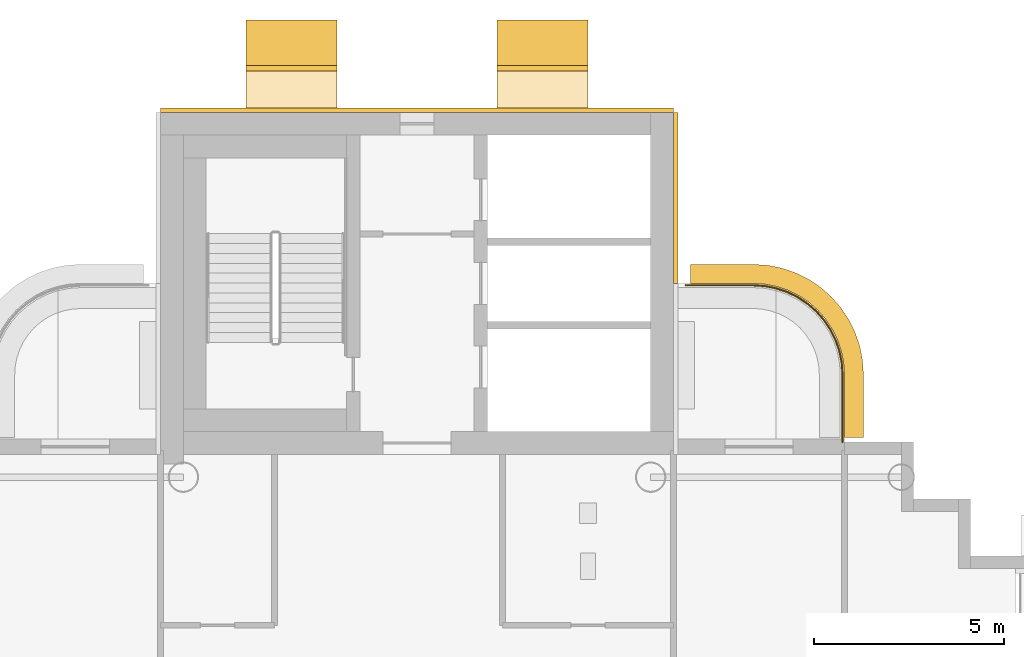
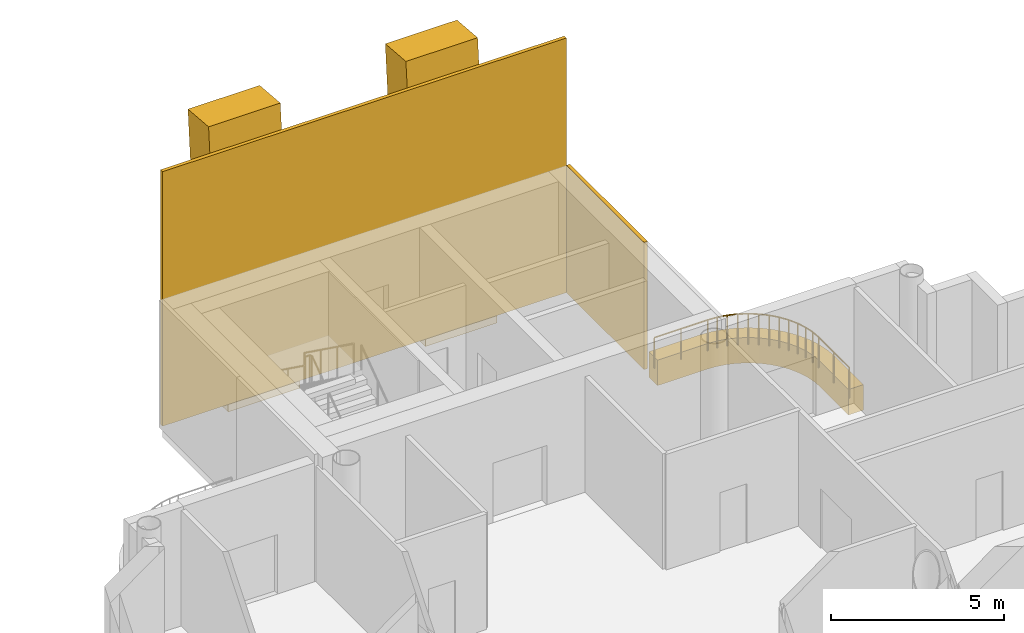
# One storey, part 19 of 20: 7 coverings, 1 railing.
"""IFC4 building model written with IfcOpenShell, lengths in metres."""

from ifc_helpers import new_model, si_unit, direction, frame, origin, origin_2d, place, context, subcontext, project, spatial, polyline, rectangle, circle, outline, extrude, material, layer, layer_set, material_profile, profile_set, type_object, element, save


model = new_model("IFC4")

# Units and contexts
model_context = context("Model", 3, precision=1e-05, world=origin(), true_north=direction((0.0, 1.0)))
body_context = subcontext(model_context, "Body", "Model", "MODEL_VIEW")
ifc_project = project(units=[si_unit("LENGTHUNIT", "METRE"), si_unit("AREAUNIT", "SQUARE_METRE"), si_unit("VOLUMEUNIT", "CUBIC_METRE"), si_unit("PLANEANGLEUNIT", "RADIAN"), si_unit("MASSUNIT", "GRAM", prefix="KILO")], contexts=[model_context])

# Site, building, storey
site_placement = place(None, origin())
site = spatial("IfcSite", under=ifc_project, at=site_placement, CompositionType="ELEMENT")
building_placement = place(site_placement, origin())
building = spatial("IfcBuilding", under=site, at=building_placement, Name="Ipe Terrace Towers", CompositionType="ELEMENT")
storey_placement = place(building_placement, frame((0.0, 0.0, 242.39990234375)))
storey = spatial("IfcBuildingStorey", under=building, at=storey_placement, Name="L67", CompositionType="ELEMENT", Elevation=242.39990234375)

# Railing
ifc_material_1 = material(Name="Stainless steel S316", Category="steel")
railing_type = type_object("IfcRailingType", Name="GUARD 1100", PredefinedType="BALUSTRADE", material=ifc_material_1)
railing_placement = place(storey_placement, frame((47.199951171875, 7.070068359375, -0.02001953125)))
element("IfcRailing", 1, at=railing_placement, inside=storey, type_object=railing_type, Name="guard", PredefinedType="BALUSTRADE", context=body_context, shape_type="SweptSolid", body=[
    extrude(circle(Radius=0.02392578125, at=origin_2d()), frame((0.0, 0.0, 1.076171875), z_axis=(0.0, 1.0, 0.0), x_axis=(-1.0, 0.0, 0.0)), (0.0, 0.0, 1.0), 1.77783203125),
    extrude(circle(Radius=0.02392578125, at=origin_2d()), frame((0.0, 1.77783203125, 1.076171875), z_axis=(-0.064635492184, 0.99790894031, 0.0), x_axis=(-0.99790894031, -0.064635492184, 0.0)), (0.0, 0.0, 1.0), 0.309814453125),
    extrude(circle(Radius=0.02392578125, at=origin_2d()), frame((-0.02001953125, 2.0869140625, 1.076171875), z_axis=(-0.194892169718, 0.980824674538, 0.0), x_axis=(-0.980824674538, -0.194892169718, 0.0)), (0.0, 0.0, 1.0), 0.306884765625),
    extrude(circle(Radius=0.02392578125, at=origin_2d()), frame((-0.079833984375, 2.387939453125, 1.076171875), z_axis=(-0.322415209212, 0.946598348228, 0.0), x_axis=(-0.946598348228, -0.322415209212, 0.0)), (0.0, 0.0, 1.0), 0.307373046875),
    extrude(circle(Radius=0.02392578125, at=origin_2d()), frame((-0.178955078125, 2.678955078125, 1.076171875), z_axis=(-0.44212629539, 0.896952807524, 0.0), x_axis=(-0.896952807524, -0.44212629539, 0.0)), (0.0, 0.0, 1.0), 0.3076171875),
    extrude(circle(Radius=0.02392578125, at=origin_2d()), frame((-0.31494140625, 2.954833984375, 1.076171875), z_axis=(-0.555066120228, 0.831806228742, 0.0), x_axis=(-0.831806228742, -0.555066120228, 0.0)), (0.0, 0.0, 1.0), 0.307861328125),
    extrude(circle(Radius=0.02392578125, at=origin_2d()), frame((-0.48583984375, 3.2109375, 1.076171875), z_axis=(-0.658617227954, 0.752478137252, 0.0), x_axis=(-0.752478137252, -0.658617227954, 0.0)), (0.0, 0.0, 1.0), 0.306884765625),
    extrude(circle(Radius=0.02392578125, at=origin_2d()), frame((-0.68798828125, 3.44189453125, 1.076171875), z_axis=(-0.752478137252, 0.658617227954, 0.0), x_axis=(-0.658617227954, -0.752478137252, 0.0)), (0.0, 0.0, 1.0), 0.306884765625),
    extrude(circle(Radius=0.02392578125, at=origin_2d()), frame((-0.9189453125, 3.64404296875, 1.076171875), z_axis=(-0.831806228742, 0.555066120228, 0.0), x_axis=(-0.555066120228, -0.831806228742, 0.0)), (0.0, 0.0, 1.0), 0.307861328125),
    extrude(circle(Radius=0.02392578125, at=origin_2d()), frame((-1.175048828125, 3.81494140625, 1.076171875), z_axis=(-0.896952807524, 0.44212629539, 0.0), x_axis=(-0.44212629539, -0.896952807524, 0.0)), (0.0, 0.0, 1.0), 0.3076171875),
    extrude(circle(Radius=0.02392578125, at=origin_2d()), frame((-1.450927734375, 3.950927734375, 1.076171875), z_axis=(-0.946598348228, 0.322415209212, 0.0), x_axis=(-0.322415209212, -0.946598348228, 0.0)), (0.0, 0.0, 1.0), 0.307373046875),
    extrude(circle(Radius=0.02392578125, at=origin_2d()), frame((-1.741943359375, 4.050048828125, 1.076171875), z_axis=(-0.980824674538, 0.194892169718, 0.0), x_axis=(-0.194892169718, -0.980824674538, 0.0)), (0.0, 0.0, 1.0), 0.306884765625),
    extrude(circle(Radius=0.02392578125, at=origin_2d()), frame((-2.04296875, 4.10986328125, 1.076171875), z_axis=(-0.99790894031, 0.064635492184, 0.0), x_axis=(-0.064635492184, -0.99790894031, 0.0)), (0.0, 0.0, 1.0), 0.309814453125),
    extrude(circle(Radius=0.02392578125, at=origin_2d()), frame((-2.35205078125, 4.1298828125, 1.076171875), z_axis=(-1.0, 0.0, 0.0), x_axis=(0.0, -1.0, 0.0)), (0.0, 0.0, 1.0), 1.77783203125),
    extrude(circle(Radius=0.02099609375, at=origin_2d()), origin(), (0.0, 0.0, 1.0), 1.052001953125),
    extrude(circle(Radius=0.02099609375, at=origin_2d()), frame((0.0, 0.888916015625, 0.0)), (0.0, 0.0, 1.0), 1.052001953125),
    extrude(circle(Radius=0.02099609375, at=origin_2d()), frame((0.0, 1.77783203125, 0.0)), (0.0, 0.0, 1.0), 1.052001953125),
    extrude(circle(Radius=0.02099609375, at=origin_2d()), frame((-0.02001953125, 2.0869140625, 0.0)), (0.0, 0.0, 1.0), 1.052001953125),
    extrude(circle(Radius=0.02099609375, at=origin_2d()), frame((-0.079833984375, 2.387939453125, 0.0)), (0.0, 0.0, 1.0), 1.052001953125),
    extrude(circle(Radius=0.02099609375, at=origin_2d()), frame((-0.178955078125, 2.678955078125, 0.0)), (0.0, 0.0, 1.0), 1.052001953125),
    extrude(circle(Radius=0.02099609375, at=origin_2d()), frame((-0.31494140625, 2.954833984375, 0.0)), (0.0, 0.0, 1.0), 1.052001953125),
    extrude(circle(Radius=0.02099609375, at=origin_2d()), frame((-0.48583984375, 3.2109375, 0.0)), (0.0, 0.0, 1.0), 1.052001953125),
    extrude(circle(Radius=0.02099609375, at=origin_2d()), frame((-0.68798828125, 3.44189453125, 0.0)), (0.0, 0.0, 1.0), 1.052001953125),
    extrude(circle(Radius=0.02099609375, at=origin_2d()), frame((-0.9189453125, 3.64404296875, 0.0)), (0.0, 0.0, 1.0), 1.052001953125),
    extrude(circle(Radius=0.02099609375, at=origin_2d()), frame((-1.175048828125, 3.81494140625, 0.0)), (0.0, 0.0, 1.0), 1.052001953125),
    extrude(circle(Radius=0.02099609375, at=origin_2d()), frame((-1.450927734375, 3.950927734375, 0.0)), (0.0, 0.0, 1.0), 1.052001953125),
    extrude(circle(Radius=0.02099609375, at=origin_2d()), frame((-1.741943359375, 4.050048828125, 0.0)), (0.0, 0.0, 1.0), 1.052001953125),
    extrude(circle(Radius=0.02099609375, at=origin_2d()), frame((-2.04296875, 4.10986328125, 0.0)), (0.0, 0.0, 1.0), 1.052001953125),
    extrude(circle(Radius=0.02099609375, at=origin_2d()), frame((-2.35205078125, 4.1298828125, 0.0)), (0.0, 0.0, 1.0), 1.052001953125),
    extrude(circle(Radius=0.02099609375, at=origin_2d()), frame((-3.240966796875, 4.1298828125, 0.0)), (0.0, 0.0, 1.0), 1.052001953125),
    extrude(circle(Radius=0.02099609375, at=origin_2d()), frame((-4.1298828125, 4.1298828125, 0.0)), (0.0, 0.0, 1.0), 1.052001953125),
])

# Coverings
ifc_material_2 = material(Name="Concrete C50/60 precast, buff finish", Category="concrete")
ifc_layer_1 = layer(ifc_material_2, 0.1201171875)
ifc_layer_set_1 = layer_set([ifc_layer_1], Name="STONE CORE CLADDING 120")
covering_type_1 = type_object("IfcCoveringType", Name="STONE CORE CLADDING 120", PredefinedType="CLADDING", material=ifc_layer_set_1)
covering_1_placement = place(storey_placement, frame((42.81005859375, 13.5, 0.0), z_axis=(0.0, 0.0, 1.0), x_axis=(0.0, 1.0, 0.0)))
element("IfcCovering", 2, at=covering_1_placement, inside=storey, type_object=covering_type_1, Name="stone core cladding", PredefinedType="CLADDING", context=body_context, shape_type="SweptSolid", body=[
    extrude(rectangle(XDim=4.5, YDim=0.1201171875, at=origin_2d()), origin(), (0.0, 0.0, 1.0), 4.5),
])
covering_2_placement = place(storey_placement, frame((36.0, 15.81005859375, 0.0), z_axis=(0.0, 0.0, 1.0), x_axis=(-1.0, 0.0, 0.0)))
element("IfcCovering", 3, at=covering_2_placement, inside=storey, type_object=covering_type_1, Name="stone core cladding", PredefinedType="CLADDING", context=body_context, shape_type="SweptSolid", body=[
    extrude(rectangle(XDim=13.5, YDim=0.1201171875, at=origin_2d()), origin(), (0.0, 0.0, 1.0), 9.0),
])
ifc_material_3 = material(Name="Concrete C50/60 precast, buff finish", Category="concrete")
ifc_layer_2 = layer(ifc_material_3, 0.5)
ifc_layer_set_2 = layer_set([ifc_layer_2], Name="STONE EDGE BAND 500 x 900")
covering_type_2 = type_object("IfcCoveringType", Name="STONE EDGE BAND 500 x 900", PredefinedType="CLADDING", material=ifc_layer_set_2)
covering_3_placement = place(storey_placement, frame((0.0, 0.0, -0.719970703125)))
element("IfcCovering", 4, at=covering_3_placement, inside=storey, type_object=covering_type_2, Name="stone edge band", PredefinedType="CLADDING", context=body_context, shape_type="SweptSolid", body=[
    extrude(outline(polyline([(47.75, 8.85009765625), (47.7490234375, 8.883056640625), (47.72802734375, 9.196044921875), (47.719970703125, 9.260986328125), (47.658935546875, 9.569091796875), (47.64208984375, 9.632080078125), (47.541015625, 9.928955078125), (47.51611328125, 9.989990234375), (47.376953125, 10.27099609375), (47.343994140625, 10.327880859375), (47.169921875, 10.589111328125), (47.1298828125, 10.64111328125), (46.923095703125, 10.876953125), (46.876953125, 10.923095703125), (46.64111328125, 11.1298828125), (46.589111328125, 11.169921875), (46.327880859375, 11.343994140625), (46.27099609375, 11.376953125), (45.989990234375, 11.51611328125), (45.928955078125, 11.541015625), (45.632080078125, 11.64208984375), (45.569091796875, 11.658935546875), (45.260986328125, 11.719970703125), (45.196044921875, 11.72802734375), (44.883056640625, 11.7490234375), (44.85009765625, 11.75), (43.199951171875, 11.75), (43.199951171875, 11.25), (44.85009765625, 11.25), (45.1630859375, 11.22900390625), (45.470947265625, 11.16796875), (45.76806640625, 11.06689453125), (46.050048828125, 10.927978515625), (46.31103515625, 10.75390625), (46.547119140625, 10.547119140625), (46.75390625, 10.31103515625), (46.927978515625, 10.050048828125), (47.06689453125, 9.76806640625), (47.16796875, 9.470947265625), (47.22900390625, 9.1630859375), (47.25, 8.85009765625), (47.25, 7.199951171875), (47.75, 7.199951171875), (47.75, 8.85009765625)])), origin(), (0.0, 0.0, 1.0), 0.900146484375),
])
ifc_material_4 = material(Name="Concrete C50/60 precast, buff finish", Category="concrete")
ifc_material_profile = material_profile(ifc_material_4, rectangle(XDim=2.39990234375, YDim=1.199951171875, at=origin_2d()), Name="STONE FIN 2400 x 1200")
ifc_profile_set = profile_set([ifc_material_profile], Name="Concrete C50/60 precast, buff finish")
covering_type_3 = type_object("IfcCoveringType", Name="STONE FIN 2400 x 1200", PredefinedType="USERDEFINED", material=ifc_profile_set)
for number, where, z_axis, x_axis, name in (
    (5, (32.699951171875, 16.839111328125, 0.0), (0.0, 0.082589061589, 0.996583687859), (-1.0, 0.0, 0.0), "stone fin"),
    (6, (39.300048828125, 16.839111328125, 0.0), (0.0, 0.082589061589, 0.996583687859), (-1.0, 0.0, 0.0), "stone fin"),
):
    element("IfcCovering", number, at=place(storey_placement, frame(where, z_axis=z_axis, x_axis=x_axis)), inside=storey, type_object=covering_type_3, Name=name, ObjectType="FIN", PredefinedType="USERDEFINED", context=body_context, shape_type="SweptSolid", body=[
        extrude(rectangle(XDim=2.39990234375, YDim=1.199951171875, at=origin_2d()), origin(), (0.0, 0.0, 1.0), 9.03076171875),
    ])
ifc_material_5 = material(Name="Concrete C50/60 precast, buff finish", Category="concrete")
covering_type_4 = type_object("IfcCoveringType", Name="STONE FIN SHELF 2400 x 600", PredefinedType="CLADDING", material=ifc_material_5)
for number, where, z_axis, x_axis, name in (
    (7, (32.699951171875, 16.34912109375, -0.349853515625), (0.0, 0.0, 1.0), (-1.0, 0.0, 0.0), "stone fin shelf"),
    (8, (39.300048828125, 16.34912109375, -0.349853515625), (0.0, 0.0, 1.0), (-1.0, 0.0, 0.0), "stone fin shelf"),
):
    element("IfcCovering", number, at=place(storey_placement, frame(where, z_axis=z_axis, x_axis=x_axis)), inside=storey, type_object=covering_type_4, Name=name, PredefinedType="CLADDING", context=body_context, shape_type="SweptSolid", body=[
        extrude(rectangle(XDim=2.39990234375, YDim=0.97900390625, at=origin_2d()), origin(), (0.0, 0.0, 1.0), 0.60009765625),
    ])

save(model, "model.ifc")
